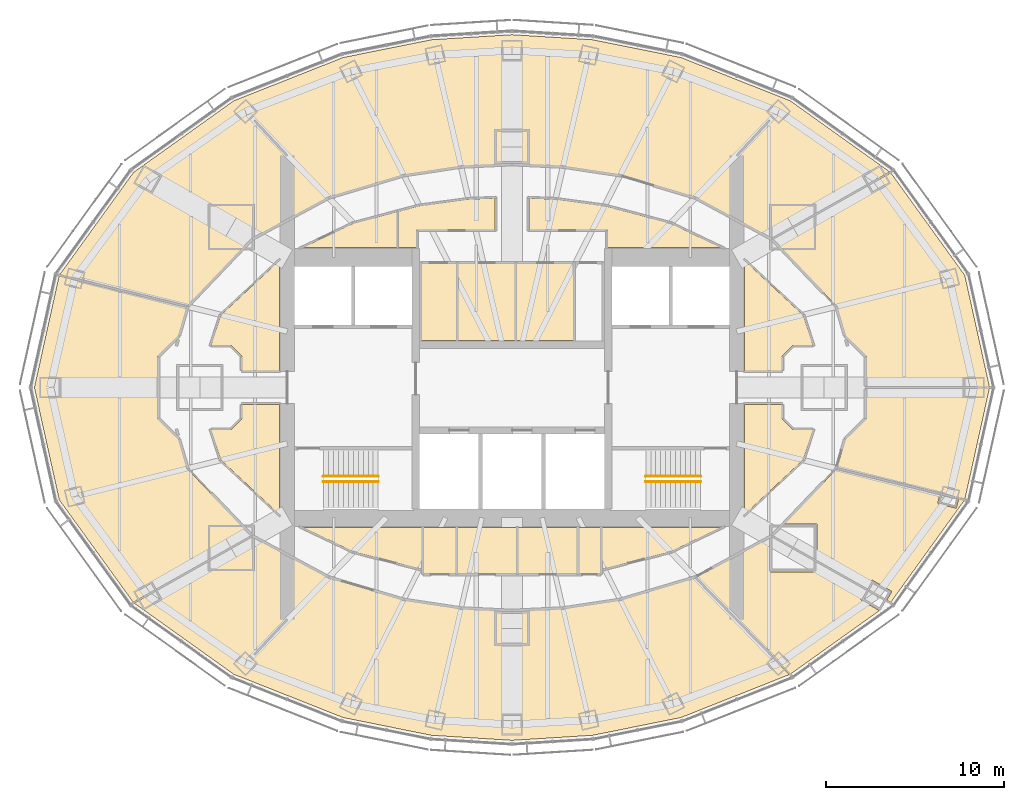
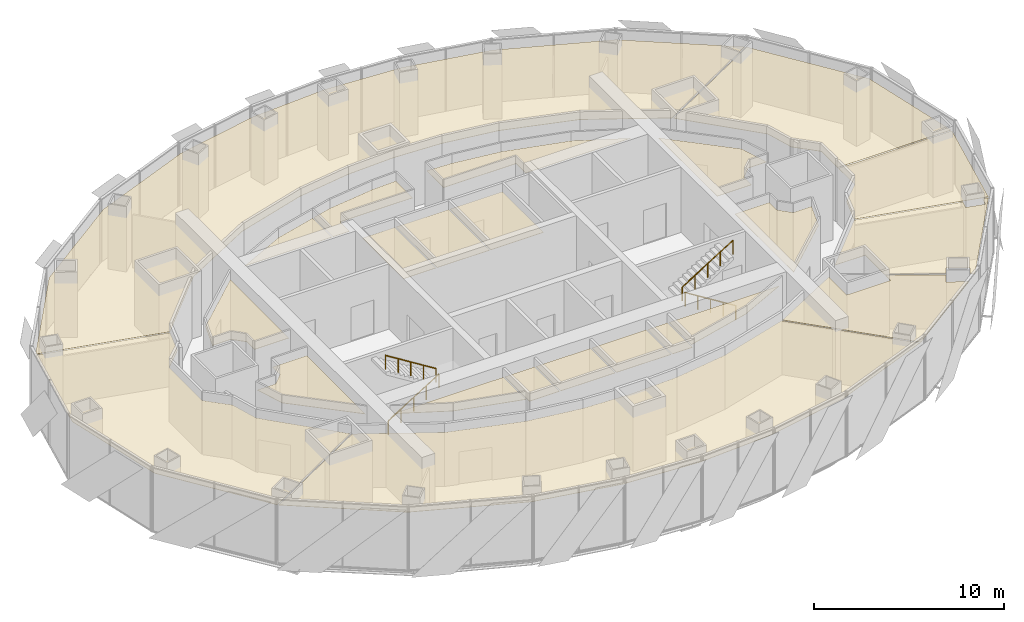
# One storey, part 17 of 17: 23 coverings, 4 railings.
"""IFC4 building model written with IfcOpenShell, lengths in metres."""

from ifc_helpers import new_model, si_unit, direction, frame, origin, origin_2d, place, context, subcontext, project, spatial, polyline, circle, outline, extrude, material, layer, layer_set, type_object, element, save


model = new_model("IFC4")

# Units and contexts
model_context = context("Model", 3, precision=1e-05, world=origin(), true_north=direction((0.0, 1.0)))
body_context = subcontext(model_context, "Body", "Model", "MODEL_VIEW")
ifc_project = project(units=[si_unit("LENGTHUNIT", "METRE"), si_unit("AREAUNIT", "SQUARE_METRE"), si_unit("VOLUMEUNIT", "CUBIC_METRE"), si_unit("PLANEANGLEUNIT", "RADIAN"), si_unit("MASSUNIT", "GRAM", prefix="KILO")], contexts=[model_context])

# Site, building, storey
site_placement = place(None, origin())
site = spatial("IfcSite", under=ifc_project, at=site_placement, CompositionType="ELEMENT")
building_placement = place(site_placement, origin())
building = spatial("IfcBuilding", under=site, at=building_placement, Name="Lantaw Convention Tower", CompositionType="ELEMENT")
storey_placement = place(building_placement, frame((0.0, 0.0, 203.199951171875)))
storey = spatial("IfcBuildingStorey", under=building, at=storey_placement, Name="L47", CompositionType="ELEMENT", Elevation=203.199951171875)

# Railings
ifc_material_1 = material(Name="Stainless steel", Category="steel")
railing_type = type_object("IfcRailingType", Name="Stair handrail", PredefinedType="HANDRAIL", material=ifc_material_1)
railing_1_placement = place(storey_placement, frame((-10.580078125, -5.280029296875, 0.175048828125)))
element("IfcRailing", 1, at=railing_1_placement, inside=storey, type_object=railing_type, Name="Stair handrail S1", PredefinedType="HANDRAIL", context=body_context, shape_type="SweptSolid", body=[
    extrude(circle(Radius=0.02392578125, at=origin_2d()), frame((0.0, 0.0, 0.8759765625), z_axis=(0.847998304005, 0.0, 0.529998940003), x_axis=(0.0, 1.0, 0.0)), (0.0, 0.0, 1.0), 3.632080078125),
    extrude(circle(Radius=0.02099609375, at=origin_2d()), origin(), (0.0, 0.0, 1.0), 0.851806640625),
    extrude(circle(Radius=0.02099609375, at=origin_2d()), frame((0.77001953125, 0.0, 0.481201171875)), (0.0, 0.0, 1.0), 0.851806640625),
    extrude(circle(Radius=0.02099609375, at=origin_2d()), frame((1.5400390625, 0.0, 0.96240234375)), (0.0, 0.0, 1.0), 0.851806640625),
    extrude(circle(Radius=0.02099609375, at=origin_2d()), frame((2.31005859375, 0.0, 1.44384765625)), (0.0, 0.0, 1.0), 0.851806640625),
    extrude(circle(Radius=0.02099609375, at=origin_2d()), frame((3.080078125, 0.0, 1.925048828125)), (0.0, 0.0, 1.0), 0.851806640625),
])
railing_2_placement = place(storey_placement, frame((-7.5, -4.97998046875, 2.275146484375)))
element("IfcRailing", 2, at=railing_2_placement, inside=storey, type_object=railing_type, Name="Stair handrail S1", PredefinedType="HANDRAIL", context=body_context, shape_type="SweptSolid", body=[
    extrude(circle(Radius=0.02392578125, at=origin_2d()), frame((0.0, 0.0, 0.8759765625), z_axis=(-0.848028513186, 0.0, 0.529950602248), x_axis=(0.0, -1.0, 0.0)), (0.0, 0.0, 1.0), 3.632080078125),
    extrude(circle(Radius=0.02099609375, at=origin_2d()), origin(), (0.0, 0.0, 1.0), 0.851806640625),
    extrude(circle(Radius=0.02099609375, at=origin_2d()), frame((-0.77001953125, 0.0, 0.481201171875)), (0.0, 0.0, 1.0), 0.851806640625),
    extrude(circle(Radius=0.02099609375, at=origin_2d()), frame((-1.5400390625, 0.0, 0.96240234375)), (0.0, 0.0, 1.0), 0.851806640625),
    extrude(circle(Radius=0.02099609375, at=origin_2d()), frame((-2.31005859375, 0.0, 1.443603515625)), (0.0, 0.0, 1.0), 0.851806640625),
    extrude(circle(Radius=0.02099609375, at=origin_2d()), frame((-3.080078125, 0.0, 1.9248046875)), (0.0, 0.0, 1.0), 0.851806640625),
])
railing_3_placement = place(storey_placement, frame((10.580078125, -5.280029296875, 0.175048828125)))
element("IfcRailing", 3, at=railing_3_placement, inside=storey, type_object=railing_type, Name="Stair handrail S2", PredefinedType="HANDRAIL", context=body_context, shape_type="SweptSolid", body=[
    extrude(circle(Radius=0.02392578125, at=origin_2d()), frame((0.0, 0.0, 0.8759765625), z_axis=(-0.847998304005, 0.0, 0.529998940003), x_axis=(0.0, -1.0, 0.0)), (0.0, 0.0, 1.0), 3.632080078125),
    extrude(circle(Radius=0.02099609375, at=origin_2d()), origin(), (0.0, 0.0, 1.0), 0.851806640625),
    extrude(circle(Radius=0.02099609375, at=origin_2d()), frame((-0.77001953125, 0.0, 0.481201171875)), (0.0, 0.0, 1.0), 0.851806640625),
    extrude(circle(Radius=0.02099609375, at=origin_2d()), frame((-1.5400390625, 0.0, 0.96240234375)), (0.0, 0.0, 1.0), 0.851806640625),
    extrude(circle(Radius=0.02099609375, at=origin_2d()), frame((-2.31005859375, 0.0, 1.44384765625)), (0.0, 0.0, 1.0), 0.851806640625),
    extrude(circle(Radius=0.02099609375, at=origin_2d()), frame((-3.080078125, 0.0, 1.925048828125)), (0.0, 0.0, 1.0), 0.851806640625),
])
railing_4_placement = place(storey_placement, frame((7.5, -4.97998046875, 2.275146484375)))
element("IfcRailing", 4, at=railing_4_placement, inside=storey, type_object=railing_type, Name="Stair handrail S2", PredefinedType="HANDRAIL", context=body_context, shape_type="SweptSolid", body=[
    extrude(circle(Radius=0.02392578125, at=origin_2d()), frame((0.0, 0.0, 0.8759765625), z_axis=(0.848028513186, 0.0, 0.529950602248), x_axis=(0.0, 1.0, 0.0)), (0.0, 0.0, 1.0), 3.632080078125),
    extrude(circle(Radius=0.02099609375, at=origin_2d()), origin(), (0.0, 0.0, 1.0), 0.851806640625),
    extrude(circle(Radius=0.02099609375, at=origin_2d()), frame((0.77001953125, 0.0, 0.481201171875)), (0.0, 0.0, 1.0), 0.851806640625),
    extrude(circle(Radius=0.02099609375, at=origin_2d()), frame((1.5400390625, 0.0, 0.96240234375)), (0.0, 0.0, 1.0), 0.851806640625),
    extrude(circle(Radius=0.02099609375, at=origin_2d()), frame((2.31005859375, 0.0, 1.443603515625)), (0.0, 0.0, 1.0), 0.851806640625),
    extrude(circle(Radius=0.02099609375, at=origin_2d()), frame((3.080078125, 0.0, 1.9248046875)), (0.0, 0.0, 1.0), 0.851806640625),
])

# Coverings
ifc_material_2 = material(Name="Gypsum board on steel suspension grid", Category="steel")
ifc_layer = layer(ifc_material_2, 0.02001953125)
ifc_layer_set = layer_set([ifc_layer], Name="Suspended ceiling")
covering_type = type_object("IfcCoveringType", Name="Suspended ceiling", PredefinedType="CEILING", material=ifc_layer_set)
covering_1_placement = place(storey_placement, frame((0.0, 0.0, 3.449951171875)))
element("IfcCovering", 5, at=covering_1_placement, inside=storey, type_object=covering_type, Name="Accessible WC ceiling", PredefinedType="CEILING", context=body_context, shape_type="SweptSolid", body=[
    extrude(outline(polyline([(-5.080078125, 2.639892578125), (-3.112060546875, 2.639892578125), (-3.112060546875, 6.9599609375), (-5.080078125, 6.9599609375), (-5.080078125, 2.639892578125)])), origin(), (0.0, 0.0, 1.0), 0.02001953125),
])
covering_2_placement = place(storey_placement, frame((0.0, 0.0, 3.449951171875)))
element("IfcCovering", 6, at=covering_2_placement, inside=storey, type_object=covering_type, Name="Male WC ceiling", PredefinedType="CEILING", context=body_context, shape_type="SweptSolid", body=[
    extrude(outline(polyline([(-3.031982421875, 2.639892578125), (0.164794921875, 2.639892578125), (0.164794921875, 6.9599609375), (-3.031982421875, 6.9599609375), (-3.031982421875, 2.639892578125)])), origin(), (0.0, 0.0, 1.0), 0.02001953125),
])
covering_3_placement = place(storey_placement, frame((0.0, 0.0, 3.449951171875)))
element("IfcCovering", 7, at=covering_3_placement, inside=storey, type_object=covering_type, Name="Female WC ceiling", PredefinedType="CEILING", context=body_context, shape_type="SweptSolid", body=[
    extrude(outline(polyline([(0.244873046875, 2.639892578125), (3.441650390625, 2.639892578125), (3.441650390625, 6.9599609375), (0.244873046875, 6.9599609375), (0.244873046875, 2.639892578125)])), origin(), (0.0, 0.0, 1.0), 0.02001953125),
])
covering_4_placement = place(storey_placement, frame((0.0, 0.0, 3.449951171875)))
element("IfcCovering", 8, at=covering_4_placement, inside=storey, type_object=covering_type, Name="Accessible WC ceiling", PredefinedType="CEILING", context=body_context, shape_type="SweptSolid", body=[
    extrude(outline(polyline([(-4.9599609375, -10.44189453125), (-3.139892578125, -10.44189453125), (-3.139892578125, -7.840087890625), (-4.9599609375, -7.840087890625), (-4.9599609375, -10.44189453125)])), origin(), (0.0, 0.0, 1.0), 0.02001953125),
])
covering_5_placement = place(storey_placement, frame((0.0, 0.0, 3.449951171875)))
element("IfcCovering", 9, at=covering_5_placement, inside=storey, type_object=covering_type, Name="Male WC ceiling", PredefinedType="CEILING", context=body_context, shape_type="SweptSolid", body=[
    extrude(outline(polyline([(-3.06005859375, -10.44189453125), (0.260009765625, -10.44189453125), (0.260009765625, -7.840087890625), (-3.06005859375, -7.840087890625), (-3.06005859375, -10.44189453125)])), origin(), (0.0, 0.0, 1.0), 0.02001953125),
])
covering_6_placement = place(storey_placement, frame((0.0, 0.0, 3.449951171875)))
element("IfcCovering", 10, at=covering_6_placement, inside=storey, type_object=covering_type, Name="Female WC ceiling", PredefinedType="CEILING", context=body_context, shape_type="SweptSolid", body=[
    extrude(outline(polyline([(0.340087890625, -10.44189453125), (3.659912109375, -10.44189453125), (3.659912109375, -7.840087890625), (0.340087890625, -7.840087890625), (0.340087890625, -10.44189453125)])), origin(), (0.0, 0.0, 1.0), 0.02001953125),
])
covering_7_placement = place(storey_placement, frame((0.0, 0.0, 3.449951171875)))
element("IfcCovering", 11, at=covering_7_placement, inside=storey, type_object=covering_type, Name="Pantry ceiling", PredefinedType="CEILING", context=body_context, shape_type="SweptSolid", body=[
    extrude(outline(polyline([(3.739990234375, -10.44189453125), (4.9599609375, -10.44189453125), (4.9599609375, -7.840087890625), (3.739990234375, -7.840087890625), (3.739990234375, -10.44189453125)])), origin(), (0.0, 0.0, 1.0), 0.02001953125),
])
covering_8_placement = place(storey_placement, frame((0.0, 0.0, 3.449951171875)))
element("IfcCovering", 12, at=covering_8_placement, inside=storey, type_object=covering_type, Name="Meeting room ceiling", PredefinedType="CEILING", context=body_context, shape_type="SweptSolid", body=[
    extrude(outline(polyline([(-16.328125, -4.0576171875), (-13.0400390625, -7.1298828125), (-13.0400390625, -0.93994140625), (-15.135009765625, -0.93994140625), (-15.135009765625, -1.7412109375), (-15.7587890625, -2.364990234375), (-16.8828125, -2.364990234375), (-16.328125, -4.0576171875)])), origin(), (0.0, 0.0, 1.0), 0.02001953125),
])
covering_9_placement = place(storey_placement, frame((0.0, 0.0, 3.449951171875)))
element("IfcCovering", 13, at=covering_9_placement, inside=storey, type_object=covering_type, Name="Project room ceiling", PredefinedType="CEILING", context=body_context, shape_type="SweptSolid", body=[
    extrude(outline(polyline([(-5.0400390625, -7.840087890625), (-11.749755859375, -7.840087890625), (-8.909912109375, -9.202880859375), (-5.0400390625, -10.20263671875), (-5.0400390625, -7.840087890625)])), origin(), (0.0, 0.0, 1.0), 0.02001953125),
])
covering_10_placement = place(storey_placement, frame((0.0, 0.0, 3.449951171875)))
element("IfcCovering", 14, at=covering_10_placement, inside=storey, type_object=covering_type, Name="Tenant storage room ceiling", PredefinedType="CEILING", context=body_context, shape_type="SweptSolid", body=[
    extrude(outline(polyline([(5.0400390625, -7.840087890625), (5.0400390625, -10.20263671875), (8.909912109375, -9.202880859375), (11.749755859375, -7.840087890625), (5.0400390625, -7.840087890625)])), origin(), (0.0, 0.0, 1.0), 0.02001953125),
])
covering_11_placement = place(storey_placement, frame((0.0, 0.0, 3.449951171875)))
element("IfcCovering", 15, at=covering_11_placement, inside=storey, type_object=covering_type, Name="Meeting room ceiling", PredefinedType="CEILING", context=body_context, shape_type="SweptSolid", body=[
    extrude(outline(polyline([(15.135009765625, -0.93994140625), (13.0400390625, -0.93994140625), (13.0400390625, -7.1298828125), (16.328125, -4.0576171875), (16.8828125, -2.364990234375), (15.7587890625, -2.364990234375), (15.135009765625, -1.7412109375), (15.135009765625, -0.93994140625)])), origin(), (0.0, 0.0, 1.0), 0.02001953125),
])
covering_12_placement = place(storey_placement, frame((0.0, 0.0, 3.449951171875)))
element("IfcCovering", 16, at=covering_12_placement, inside=storey, type_object=covering_type, Name="Copy and print room ceiling", PredefinedType="CEILING", context=body_context, shape_type="SweptSolid", body=[
    extrude(outline(polyline([(16.328125, 4.0576171875), (13.0400390625, 7.1298828125), (13.0400390625, 0.93994140625), (15.135009765625, 0.93994140625), (15.135009765625, 1.7412109375), (15.7587890625, 2.364990234375), (16.8828125, 2.364990234375), (16.328125, 4.0576171875)])), origin(), (0.0, 0.0, 1.0), 0.02001953125),
])
covering_13_placement = place(storey_placement, frame((0.0, 0.0, 3.449951171875)))
element("IfcCovering", 17, at=covering_13_placement, inside=storey, type_object=covering_type, Name="Project room ceiling", PredefinedType="CEILING", context=body_context, shape_type="SweptSolid", body=[
    extrude(outline(polyline([(5.360107421875, 7.840087890625), (11.749755859375, 7.840087890625), (8.90966796875, 9.202880859375), (5.20263671875, 10.1865234375), (2.443115234375, 10.557373046875), (0.93994140625, 10.62060546875), (0.93994140625, 8.840087890625), (5.360107421875, 8.840087890625), (5.360107421875, 7.840087890625)])), origin(), (0.0, 0.0, 1.0), 0.02001953125),
])
covering_14_placement = place(storey_placement, frame((0.0, 0.0, 3.449951171875)))
element("IfcCovering", 18, at=covering_14_placement, inside=storey, type_object=covering_type, Name="Meeting room ceiling", PredefinedType="CEILING", context=body_context, shape_type="SweptSolid", body=[
    extrude(outline(polyline([(-8.90966796875, 9.202880859375), (-11.749755859375, 7.840087890625), (-6.449951171875, 7.840087890625), (-6.449951171875, 9.855712890625), (-8.90966796875, 9.202880859375)])), origin(), (0.0, 0.0, 1.0), 0.02001953125),
])
covering_15_placement = place(storey_placement, frame((0.0, 0.0, 3.449951171875)))
element("IfcCovering", 19, at=covering_15_placement, inside=storey, type_object=covering_type, Name="Comms room ceiling", PredefinedType="CEILING", context=body_context, shape_type="SweptSolid", body=[
    extrude(outline(polyline([(-5.20263671875, 10.1865234375), (-6.3701171875, 9.876708984375), (-6.3701171875, 7.840087890625), (-5.360107421875, 7.840087890625), (-5.360107421875, 8.840087890625), (-0.93994140625, 8.840087890625), (-0.93994140625, 10.62060546875), (-2.443115234375, 10.557373046875), (-5.20263671875, 10.1865234375)])), origin(), (0.0, 0.0, 1.0), 0.02001953125),
])
covering_16_placement = place(storey_placement, frame((0.0, 0.0, 3.449951171875)))
element("IfcCovering", 20, at=covering_16_placement, inside=storey, type_object=covering_type, Name="Meeting room ceiling", PredefinedType="CEILING", context=body_context, shape_type="SweptSolid", body=[
    extrude(outline(polyline([(-15.135009765625, 0.93994140625), (-13.0400390625, 0.93994140625), (-13.0400390625, 7.1298828125), (-16.328125, 4.0576171875), (-16.8828125, 2.364990234375), (-15.7587890625, 2.364990234375), (-15.135009765625, 1.7412109375), (-15.135009765625, 0.93994140625)])), origin(), (0.0, 0.0, 1.0), 0.02001953125),
])
covering_17_placement = place(storey_placement, frame((0.0, 0.0, 3.449951171875)))
element("IfcCovering", 21, at=covering_17_placement, inside=storey, type_object=covering_type, Name="Reception ceiling", PredefinedType="CEILING", context=body_context, shape_type="SweptSolid", body=[
    extrude(outline(polyline([(14.62060546875, 8.30810546875), (18.20947265625, 4.5517578125), (18.692138671875, 2.90283203125), (19.22900390625, 2.364990234375), (19.2412109375, 2.364990234375), (19.864990234375, 1.7412109375), (19.864990234375, 0.0400390625), (26.77099609375, 0.0400390625), (25.388916015625, 6.290283203125), (21.241455078125, 12.0380859375), (14.62060546875, 8.30810546875)])), origin(), (0.0, 0.0, 1.0), 0.02001953125),
])
covering_18_placement = place(storey_placement, frame((0.0, 0.0, 3.449951171875)))
element("IfcCovering", 22, at=covering_18_placement, inside=storey, type_object=covering_type, Name="Open office ceiling", PredefinedType="CEILING", context=body_context, shape_type="SweptSolid", body=[
    extrude(outline(polyline([(14.5556640625, 8.363525390625), (21.1787109375, 12.094482421875), (15.60498046875, 16.076416015625), (9.472900390625, 18.504638671875), (4.523193359375, 19.500244140625), (0.0, 19.78466796875), (-4.523193359375, 19.500244140625), (-9.472900390625, 18.504638671875), (-15.60498046875, 16.076416015625), (-21.224365234375, 12.061767578125), (-25.359130859375, 6.331787109375), (-18.186767578125, 4.57568359375), (-14.58056640625, 8.35009765625), (-10.279052734375, 10.66552734375), (-6.06298828125, 11.92138671875), (-2.858642578125, 12.4052734375), (0.0, 12.5400390625), (2.858642578125, 12.4052734375), (6.06298828125, 11.92138671875), (10.279052734375, 10.66552734375), (14.5556640625, 8.363525390625)])), origin(), (0.0, 0.0, 1.0), 0.02001953125),
])
covering_19_placement = place(storey_placement, frame((0.0, 0.0, 3.449951171875)))
element("IfcCovering", 23, at=covering_19_placement, inside=storey, type_object=covering_type, Name="Boardroom ceiling", PredefinedType="CEILING", context=body_context, shape_type="SweptSolid", body=[
    extrude(outline(polyline([(-19.2412109375, 2.364990234375), (-19.22900390625, 2.364990234375), (-18.692138671875, 2.90283203125), (-18.223876953125, 4.502197265625), (-25.39599609375, 6.258544921875), (-26.77978515625, 0.0), (-25.388916015625, -6.290283203125), (-21.241455078125, -12.0380859375), (-14.62060546875, -8.30810546875), (-18.20947265625, -4.5517578125), (-18.692138671875, -2.90283203125), (-19.22900390625, -2.364990234375), (-19.2412109375, -2.364990234375), (-19.864990234375, -1.7412109375), (-19.864990234375, 1.7412109375), (-19.2412109375, 2.364990234375)])), origin(), (0.0, 0.0, 1.0), 0.02001953125),
])
covering_20_placement = place(storey_placement, frame((0.0, 0.0, 3.449951171875)))
element("IfcCovering", 24, at=covering_20_placement, inside=storey, type_object=covering_type, Name="Open office ceiling", PredefinedType="CEILING", context=body_context, shape_type="SweptSolid", body=[
    extrude(outline(polyline([(-14.5556640625, -8.363525390625), (-21.1787109375, -12.094482421875), (-15.60498046875, -16.076416015625), (-9.472900390625, -18.504638671875), (-4.523193359375, -19.500244140625), (0.0, -19.78466796875), (4.523193359375, -19.500244140625), (9.472900390625, -18.504638671875), (15.553466796875, -16.0966796875), (10.251953125, -10.673583984375), (6.06298828125, -11.92138671875), (2.858642578125, -12.4052734375), (0.0, -12.5400390625), (-2.858642578125, -12.4052734375), (-6.06298828125, -11.92138671875), (-10.279052734375, -10.66552734375), (-14.5556640625, -8.363525390625)])), origin(), (0.0, 0.0, 1.0), 0.02001953125),
])
covering_21_placement = place(storey_placement, frame((0.0, 0.0, 3.449951171875)))
element("IfcCovering", 25, at=covering_21_placement, inside=storey, type_object=covering_type, Name="Pantry ceiling", PredefinedType="CEILING", context=body_context, shape_type="SweptSolid", body=[
    extrude(outline(polyline([(14.409912109375, -8.44189453125), (10.329345703125, -10.638427734375), (15.62890625, -16.059326171875), (20.599365234375, -12.50830078125), (19.5498046875, -11.908447265625), (19.8662109375, -11.35498046875), (17.090087890625, -9.791015625), (17.090087890625, -10.340087890625), (14.409912109375, -10.340087890625), (14.409912109375, -8.44189453125)])), origin(), (0.0, 0.0, 1.0), 0.02001953125),
])
covering_22_placement = place(storey_placement, frame((0.0, 0.0, 3.449951171875)))
element("IfcCovering", 26, at=covering_22_placement, inside=storey, type_object=covering_type, Name="Meeting room ceiling", PredefinedType="CEILING", context=body_context, shape_type="SweptSolid", body=[
    extrude(outline(polyline([(18.186767578125, -4.57568359375), (15.23974609375, -7.659912109375), (17.090087890625, -7.659912109375), (17.090087890625, -9.69921875), (19.90576171875, -11.28564453125), (20.184814453125, -10.797119140625), (21.296142578125, -11.43212890625), (21.02099609375, -11.913818359375), (21.241455078125, -12.0380859375), (25.359130859375, -6.331787109375), (25.04345703125, -6.25439453125), (24.915283203125, -6.7685546875), (23.867431640625, -6.50732421875), (23.994384765625, -5.99755859375), (18.186767578125, -4.57568359375)])), origin(), (0.0, 0.0, 1.0), 0.02001953125),
])
covering_23_placement = place(storey_placement, frame((0.0, 0.0, 3.449951171875)))
element("IfcCovering", 27, at=covering_23_placement, inside=storey, type_object=covering_type, Name="Meeting room ceiling", PredefinedType="CEILING", context=body_context, shape_type="SweptSolid", body=[
    extrude(outline(polyline([(19.22900390625, -2.364990234375), (18.692138671875, -2.90283203125), (18.223876953125, -4.502197265625), (25.39599609375, -6.258544921875), (26.77099609375, -0.0400390625), (19.864990234375, -0.0400390625), (19.864990234375, -1.7412109375), (19.2412109375, -2.364990234375), (19.22900390625, -2.364990234375)])), origin(), (0.0, 0.0, 1.0), 0.02001953125),
])

save(model, "model.ifc")
